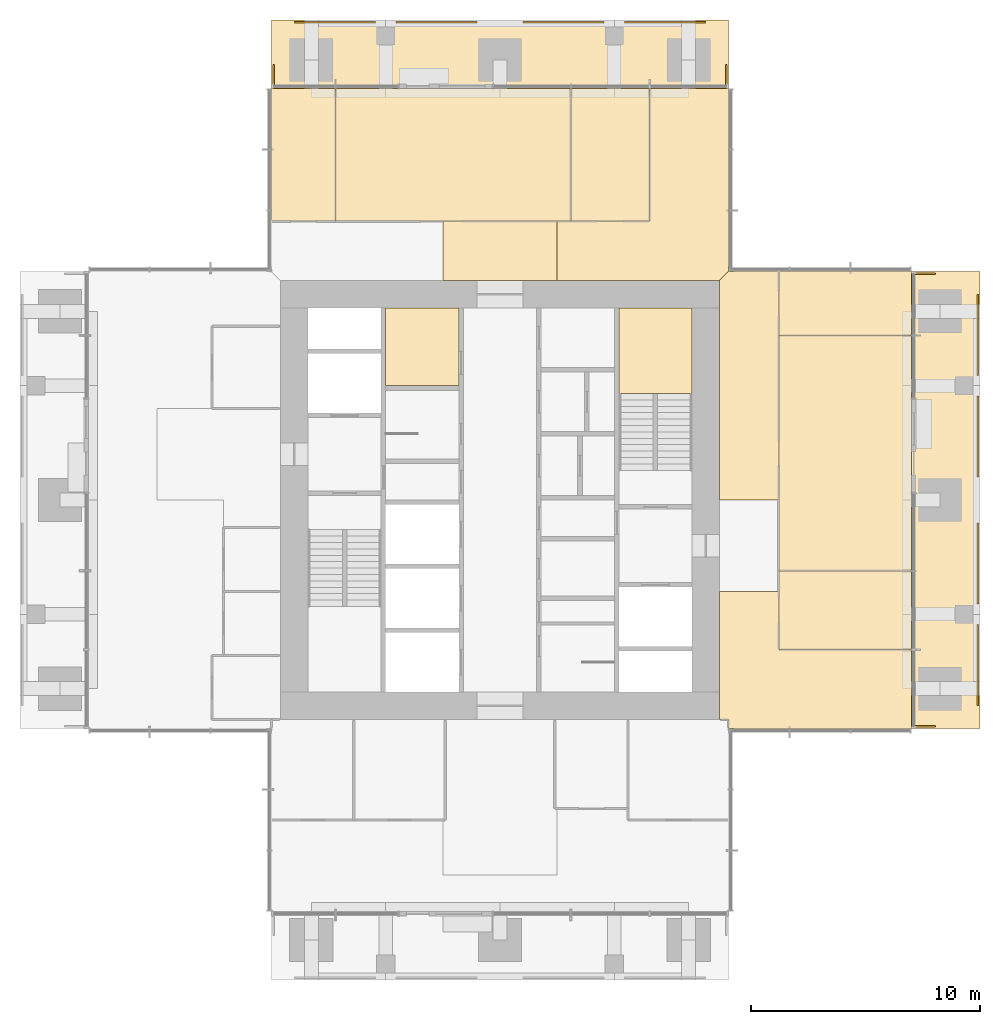
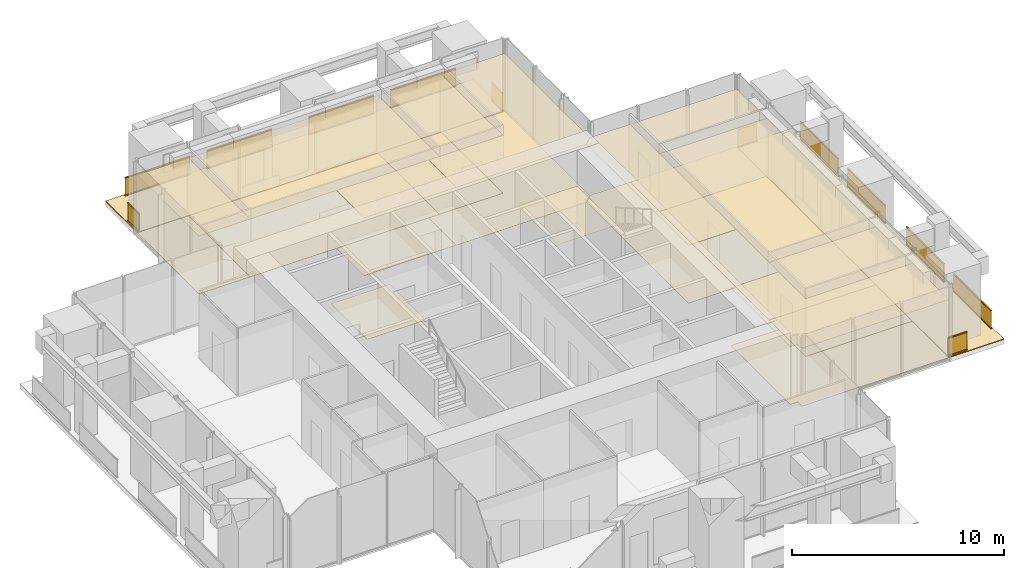
# One storey, part 11 of 12: 24 coverings, 12 railings.
"""IFC4 building model written with IfcOpenShell, lengths in metres."""

from ifc_helpers import new_model, si_unit, direction, frame, origin, origin_2d, place, context, subcontext, project, spatial, polyline, rectangle, outline, extrude, material, layer, layer_set, type_object, element, save


model = new_model("IFC4")

# Units and contexts
model_context = context("Model", 3, precision=1e-05, world=origin(), true_north=direction((0.0, 1.0)))
body_context = subcontext(model_context, "Body", "Model", "MODEL_VIEW")
ifc_project = project(units=[si_unit("LENGTHUNIT", "METRE"), si_unit("AREAUNIT", "SQUARE_METRE"), si_unit("VOLUMEUNIT", "CUBIC_METRE"), si_unit("PLANEANGLEUNIT", "RADIAN"), si_unit("MASSUNIT", "GRAM", prefix="KILO")], contexts=[model_context])

# Site, building, storey
site_placement = place(None, origin())
site = spatial("IfcSite", under=ifc_project, at=site_placement, CompositionType="ELEMENT")
building_placement = place(site_placement, origin())
building = spatial("IfcBuilding", under=site, at=building_placement, Name="Svetlomir Tower", CompositionType="ELEMENT")
storey_placement = place(building_placement, frame((0.0, 0.0, 256.60009765625)))
storey = spatial("IfcBuildingStorey", under=building, at=storey_placement, Name="L61", CompositionType="ELEMENT", Elevation=256.60009765625)

# Railings
ifc_material_1 = material(Name="Bronze anodised aluminium and laminated glass", Category="aluminium")
railing_type = type_object("IfcRailingType", Name="BALCONY GUARD GR1 1100", PredefinedType="GUARDRAIL", material=ifc_material_1)
for number, where, name in (
    (1, (41.89990234375, 12.0, 0.0), "Loggia guard E L61 bay 1"),
    (2, (41.89990234375, 16.449951171875, 0.0), "Loggia guard E L61 bay 2"),
    (3, (41.89990234375, 22.0, 0.0), "Loggia guard E L61 bay 3"),
    (4, (41.89990234375, 26.449951171875, 0.0), "Loggia guard E L61 bay 4"),
):
    element("IfcRailing", number, at=place(storey_placement, frame(where)), inside=storey, type_object=railing_type, Name=name, PredefinedType="GUARDRAIL", context=body_context, shape_type="SweptSolid", body=[
        extrude(rectangle(XDim=0.06005859375, YDim=0.10009765625, at=origin_2d()), frame((0.0, 0.0, 0.050048828125), z_axis=(0.0, 1.0, 0.0), x_axis=(-1.0, 0.0, 0.0)), (0.0, 0.0, 1.0), 3.550048828125),
        extrude(rectangle(XDim=0.021484375, YDim=0.960205078125, at=origin_2d()), frame((0.0, 0.0, 0.580078125), z_axis=(0.0, 1.0, 0.0), x_axis=(-1.0, 0.0, 0.0)), (0.0, 0.0, 1.0), 3.550048828125),
        extrude(rectangle(XDim=0.06005859375, YDim=0.0400390625, at=origin_2d()), frame((0.0, 0.0, 1.080078125), z_axis=(0.0, 1.0, 0.0), x_axis=(-1.0, 0.0, 0.0)), (0.0, 0.0, 1.0), 3.550048828125),
    ])
for number, where, name in (
    (5, (40.050048828125, 11.10009765625, 0.0), "Loggia guard E L61 end 1"),
    (6, (40.050048828125, 30.89990234375, 0.0), "Loggia guard E L61 end 2"),
):
    element("IfcRailing", number, at=place(storey_placement, frame(where)), inside=storey, type_object=railing_type, Name=name, PredefinedType="GUARDRAIL", context=body_context, shape_type="SweptSolid", body=[
        extrude(rectangle(XDim=0.06005859375, YDim=0.10009765625, at=origin_2d()), frame((0.0, 0.0, 0.050048828125), z_axis=(-1.0, 0.0, 0.0), x_axis=(0.0, -1.0, 0.0)), (0.0, 0.0, 1.0), 1.050048828125),
        extrude(rectangle(XDim=0.021484375, YDim=0.960205078125, at=origin_2d()), frame((0.0, 0.0, 0.580078125), z_axis=(-1.0, 0.0, 0.0), x_axis=(0.0, -1.0, 0.0)), (0.0, 0.0, 1.0), 1.050048828125),
        extrude(rectangle(XDim=0.06005859375, YDim=0.0400390625, at=origin_2d()), frame((0.0, 0.0, 1.080078125), z_axis=(-1.0, 0.0, 0.0), x_axis=(0.0, -1.0, 0.0)), (0.0, 0.0, 1.0), 1.050048828125),
    ])
for number, where, name in (
    (7, (12.0, 41.89990234375, 0.0), "Loggia guard N L61 bay 1"),
    (8, (16.449951171875, 41.89990234375, 0.0), "Loggia guard N L61 bay 2"),
    (9, (22.0, 41.89990234375, 0.0), "Loggia guard N L61 bay 3"),
    (10, (26.449951171875, 41.89990234375, 0.0), "Loggia guard N L61 bay 4"),
):
    element("IfcRailing", number, at=place(storey_placement, frame(where)), inside=storey, type_object=railing_type, Name=name, PredefinedType="GUARDRAIL", context=body_context, shape_type="SweptSolid", body=[
        extrude(rectangle(XDim=0.06005859375, YDim=0.10009765625, at=origin_2d()), frame((0.0, 0.0, 0.050048828125), z_axis=(1.0, 0.0, 0.0), x_axis=(0.0, 1.0, 0.0)), (0.0, 0.0, 1.0), 3.550048828125),
        extrude(rectangle(XDim=0.021484375, YDim=0.960205078125, at=origin_2d()), frame((0.0, 0.0, 0.580078125), z_axis=(1.0, 0.0, 0.0), x_axis=(0.0, 1.0, 0.0)), (0.0, 0.0, 1.0), 3.550048828125),
        extrude(rectangle(XDim=0.06005859375, YDim=0.0400390625, at=origin_2d()), frame((0.0, 0.0, 1.080078125), z_axis=(1.0, 0.0, 0.0), x_axis=(0.0, 1.0, 0.0)), (0.0, 0.0, 1.0), 3.550048828125),
    ])
for number, where, name in (
    (11, (11.10009765625, 40.050048828125, 0.0), "Loggia guard N L61 end 1"),
    (12, (30.89990234375, 40.050048828125, 0.0), "Loggia guard N L61 end 2"),
):
    element("IfcRailing", number, at=place(storey_placement, frame(where)), inside=storey, type_object=railing_type, Name=name, PredefinedType="GUARDRAIL", context=body_context, shape_type="SweptSolid", body=[
        extrude(rectangle(XDim=0.06005859375, YDim=0.10009765625, at=origin_2d()), frame((0.0, 0.0, 0.050048828125), z_axis=(0.0, -1.0, 0.0), x_axis=(1.0, 0.0, 0.0)), (0.0, 0.0, 1.0), 1.050048828125),
        extrude(rectangle(XDim=0.021484375, YDim=0.960205078125, at=origin_2d()), frame((0.0, 0.0, 0.580078125), z_axis=(0.0, -1.0, 0.0), x_axis=(1.0, 0.0, 0.0)), (0.0, 0.0, 1.0), 1.050048828125),
        extrude(rectangle(XDim=0.06005859375, YDim=0.0400390625, at=origin_2d()), frame((0.0, 0.0, 1.080078125), z_axis=(0.0, -1.0, 0.0), x_axis=(1.0, 0.0, 0.0)), (0.0, 0.0, 1.0), 1.050048828125),
    ])

# Coverings
ifc_material_2 = material(Name="Granite paving slabs on pedestals", Category="masonry")
ifc_layer_1 = layer(ifc_material_2, 0.0400390625)
ifc_layer_set_1 = layer_set([ifc_layer_1], Name="Granite paving slabs on pedestals")
covering_type_1 = type_object("IfcCoveringType", Name="BALCONY PAVING 40", PredefinedType="USERDEFINED", material=ifc_layer_set_1)
covering_1_placement = place(storey_placement, origin())
element("IfcCovering", 13, at=covering_1_placement, inside=storey, type_object=covering_type_1, Name="Loggia paving E L61", ObjectType="BALCONY PAVING", PredefinedType="USERDEFINED", context=body_context, shape_type="SweptSolid", body=[
    extrude(outline(polyline([(39.0, 11.0), (42.0, 11.0), (42.0, 31.0), (39.0, 31.0), (39.0, 11.0)])), origin(), (0.0, 0.0, 1.0), 0.039794921875),
])
covering_2_placement = place(storey_placement, origin())
element("IfcCovering", 14, at=covering_2_placement, inside=storey, type_object=covering_type_1, Name="Loggia paving N L61", ObjectType="BALCONY PAVING", PredefinedType="USERDEFINED", context=body_context, shape_type="SweptSolid", body=[
    extrude(outline(polyline([(11.0, 39.0), (31.0, 39.0), (31.0, 42.0), (11.0, 42.0), (11.0, 39.0)])), origin(), (0.0, 0.0, 1.0), 0.039794921875),
])
ifc_material_3 = material(Name="Ceramic floor tile", Category="ceramic")
ifc_layer_2 = layer(ifc_material_3, 0.014892578125)
ifc_layer_set_2 = layer_set([ifc_layer_2], Name="Ceramic floor tile")
covering_type_2 = type_object("IfcCoveringType", Name="CERAMIC TILE FLOOR 15", PredefinedType="FLOORING", material=ifc_layer_set_2)
covering_3_placement = place(storey_placement, origin())
element("IfcCovering", 15, at=covering_3_placement, inside=storey, type_object=covering_type_2, Name="Floor finish L61-05", PredefinedType="FLOORING", context=body_context, shape_type="SweptSolid", body=[
    extrude(outline(polyline([(16.0, 26.0), (19.199951171875, 26.0), (19.199951171875, 29.39990234375), (16.0, 29.39990234375), (16.0, 26.0)])), origin(), (0.0, 0.0, 1.0), 0.014892578125),
])
ifc_material_4 = material(Name="Engineered oak floor", Category="wood")
ifc_layer_3 = layer(ifc_material_4, 0.02001953125)
ifc_layer_set_3 = layer_set([ifc_layer_3], Name="Engineered oak floor")
covering_type_3 = type_object("IfcCoveringType", Name="OAK FLOOR 20", PredefinedType="FLOORING", material=ifc_layer_set_3)
covering_4_placement = place(storey_placement, origin())
element("IfcCovering", 16, at=covering_4_placement, inside=storey, type_object=covering_type_3, Name="Floor finish L61-22", PredefinedType="FLOORING", context=body_context, shape_type="SweptSolid", body=[
    extrude(outline(polyline([(33.199951171875, 14.449951171875), (39.0, 14.449951171875), (39.0, 17.89990234375), (33.199951171875, 17.89990234375), (33.199951171875, 14.449951171875)])), origin(), (0.0, 0.0, 1.0), 0.02001953125),
])
covering_5_placement = place(storey_placement, origin())
element("IfcCovering", 17, at=covering_5_placement, inside=storey, type_object=covering_type_3, Name="Floor finish L61-23", PredefinedType="FLOORING", context=body_context, shape_type="SweptSolid", body=[
    extrude(outline(polyline([(33.199951171875, 17.89990234375), (39.0, 17.89990234375), (39.0, 28.199951171875), (33.199951171875, 28.199951171875), (33.199951171875, 17.89990234375)])), origin(), (0.0, 0.0, 1.0), 0.02001953125),
])
covering_6_placement = place(storey_placement, origin())
element("IfcCovering", 18, at=covering_6_placement, inside=storey, type_object=covering_type_3, Name="Floor finish L61-24", PredefinedType="FLOORING", context=body_context, shape_type="SweptSolid", body=[
    extrude(outline(polyline([(33.199951171875, 28.199951171875), (39.0, 28.199951171875), (39.0, 31.0), (33.199951171875, 31.0), (33.199951171875, 28.199951171875)])), origin(), (0.0, 0.0, 1.0), 0.02001953125),
])
covering_7_placement = place(storey_placement, origin())
element("IfcCovering", 19, at=covering_7_placement, inside=storey, type_object=covering_type_3, Name="Floor finish L61-25", PredefinedType="FLOORING", context=body_context, shape_type="SweptSolid", body=[
    extrude(outline(polyline([(11.0, 33.199951171875), (13.800048828125, 33.199951171875), (13.800048828125, 39.0), (11.0, 39.0), (11.0, 33.199951171875)])), origin(), (0.0, 0.0, 1.0), 0.02001953125),
])
covering_8_placement = place(storey_placement, origin())
element("IfcCovering", 20, at=covering_8_placement, inside=storey, type_object=covering_type_3, Name="Floor finish L61-26", PredefinedType="FLOORING", context=body_context, shape_type="SweptSolid", body=[
    extrude(outline(polyline([(13.800048828125, 33.199951171875), (24.10009765625, 33.199951171875), (24.10009765625, 39.0), (13.800048828125, 39.0), (13.800048828125, 33.199951171875)])), origin(), (0.0, 0.0, 1.0), 0.02001953125),
])
covering_9_placement = place(storey_placement, origin())
element("IfcCovering", 21, at=covering_9_placement, inside=storey, type_object=covering_type_3, Name="Floor finish L61-27", PredefinedType="FLOORING", context=body_context, shape_type="SweptSolid", body=[
    extrude(outline(polyline([(24.10009765625, 33.199951171875), (27.550048828125, 33.199951171875), (27.550048828125, 39.0), (24.10009765625, 39.0), (24.10009765625, 33.199951171875)])), origin(), (0.0, 0.0, 1.0), 0.02001953125),
])
covering_10_placement = place(storey_placement, origin())
element("IfcCovering", 22, at=covering_10_placement, inside=storey, type_object=covering_type_3, Name="Floor finish L61-35", PredefinedType="FLOORING", context=body_context, shape_type="SweptSolid", body=[
    extrude(outline(polyline([(23.5, 30.60009765625), (18.5, 30.60009765625), (18.5, 33.199951171875), (23.5, 33.199951171875), (23.5, 30.60009765625)])), origin(), (0.0, 0.0, 1.0), 0.02001953125),
])
covering_11_placement = place(storey_placement, origin())
element("IfcCovering", 23, at=covering_11_placement, inside=storey, type_object=covering_type_3, Name="Floor finish L61-37", PredefinedType="FLOORING", context=body_context, shape_type="SweptSolid", body=[
    extrude(outline(polyline([(31.0, 11.39990234375), (30.60009765625, 11.39990234375), (30.60009765625, 17.0), (33.199951171875, 17.0), (33.199951171875, 14.449951171875), (39.0, 14.449951171875), (39.0, 11.0), (31.0, 11.0), (31.0, 11.39990234375)])), origin(), (0.0, 0.0, 1.0), 0.02001953125),
])
covering_12_placement = place(storey_placement, origin())
element("IfcCovering", 24, at=covering_12_placement, inside=storey, type_object=covering_type_3, Name="Floor finish L61-38", PredefinedType="FLOORING", context=body_context, shape_type="SweptSolid", body=[
    extrude(outline(polyline([(33.199951171875, 31.0), (33.199951171875, 21.0), (30.60009765625, 21.0), (30.60009765625, 30.60009765625), (31.0, 31.0), (33.199951171875, 31.0)])), origin(), (0.0, 0.0, 1.0), 0.02001953125),
])
covering_13_placement = place(storey_placement, origin())
element("IfcCovering", 25, at=covering_13_placement, inside=storey, type_object=covering_type_3, Name="Floor finish L61-39", PredefinedType="FLOORING", context=body_context, shape_type="SweptSolid", body=[
    extrude(outline(polyline([(23.5, 30.60009765625), (23.5, 33.199951171875), (27.550048828125, 33.199951171875), (27.550048828125, 39.0), (31.0, 39.0), (31.0, 31.0), (30.60009765625, 30.60009765625), (23.5, 30.60009765625)])), origin(), (0.0, 0.0, 1.0), 0.02001953125),
])
ifc_material_5 = material(Name="Studded rubber floor finish", Category="rubber")
ifc_layer_4 = layer(ifc_material_5, 0.006103515625)
ifc_layer_set_4 = layer_set([ifc_layer_4], Name="Studded rubber floor finish")
covering_type_4 = type_object("IfcCoveringType", Name="RUBBER LANDING FINISH 6", PredefinedType="FLOORING", material=ifc_layer_set_4)
covering_14_placement = place(storey_placement, frame((0.0, 0.0, 2.099853515625)))
element("IfcCovering", 26, at=covering_14_placement, inside=storey, type_object=covering_type_4, Name="Stair S2 landing finish L61", PredefinedType="FLOORING", context=body_context, shape_type="SweptSolid", body=[
    extrude(outline(polyline([(26.199951171875, 25.659912109375), (29.39990234375, 25.659912109375), (29.39990234375, 29.39990234375), (26.199951171875, 29.39990234375), (26.199951171875, 25.659912109375)])), origin(), (0.0, 0.0, 1.0), 0.006103515625),
])
ifc_material_6 = material(Name="Mineral fibre ceiling tile", Category="mineral")
ifc_layer_5 = layer(ifc_material_6, 0.02001953125)
ifc_layer_set_5 = layer_set([ifc_layer_5], Name="Mineral fibre ceiling tile")
covering_type_5 = type_object("IfcCoveringType", Name="SUSPENDED CEILING 20", PredefinedType="CEILING", material=ifc_layer_set_5)
covering_15_placement = place(storey_placement, frame((0.0, 0.0, 3.329833984375)))
element("IfcCovering", 27, at=covering_15_placement, inside=storey, type_object=covering_type_5, Name="Ceiling L61-22", PredefinedType="CEILING", context=body_context, shape_type="SweptSolid", body=[
    extrude(outline(polyline([(33.199951171875, 14.449951171875), (39.0, 14.449951171875), (39.0, 17.89990234375), (33.199951171875, 17.89990234375), (33.199951171875, 14.449951171875)])), origin(), (0.0, 0.0, 1.0), 0.02001953125),
])
covering_16_placement = place(storey_placement, frame((0.0, 0.0, 3.329833984375)))
element("IfcCovering", 28, at=covering_16_placement, inside=storey, type_object=covering_type_5, Name="Ceiling L61-23", PredefinedType="CEILING", context=body_context, shape_type="SweptSolid", body=[
    extrude(outline(polyline([(33.199951171875, 17.89990234375), (39.0, 17.89990234375), (39.0, 28.199951171875), (33.199951171875, 28.199951171875), (33.199951171875, 17.89990234375)])), origin(), (0.0, 0.0, 1.0), 0.02001953125),
])
covering_17_placement = place(storey_placement, frame((0.0, 0.0, 3.329833984375)))
element("IfcCovering", 29, at=covering_17_placement, inside=storey, type_object=covering_type_5, Name="Ceiling L61-24", PredefinedType="CEILING", context=body_context, shape_type="SweptSolid", body=[
    extrude(outline(polyline([(33.199951171875, 28.199951171875), (39.0, 28.199951171875), (39.0, 31.0), (33.199951171875, 31.0), (33.199951171875, 28.199951171875)])), origin(), (0.0, 0.0, 1.0), 0.02001953125),
])
covering_18_placement = place(storey_placement, frame((0.0, 0.0, 3.329833984375)))
element("IfcCovering", 30, at=covering_18_placement, inside=storey, type_object=covering_type_5, Name="Ceiling L61-25", PredefinedType="CEILING", context=body_context, shape_type="SweptSolid", body=[
    extrude(outline(polyline([(11.0, 33.199951171875), (13.800048828125, 33.199951171875), (13.800048828125, 39.0), (11.0, 39.0), (11.0, 33.199951171875)])), origin(), (0.0, 0.0, 1.0), 0.02001953125),
])
covering_19_placement = place(storey_placement, frame((0.0, 0.0, 3.329833984375)))
element("IfcCovering", 31, at=covering_19_placement, inside=storey, type_object=covering_type_5, Name="Ceiling L61-26", PredefinedType="CEILING", context=body_context, shape_type="SweptSolid", body=[
    extrude(outline(polyline([(13.800048828125, 33.199951171875), (24.10009765625, 33.199951171875), (24.10009765625, 39.0), (13.800048828125, 39.0), (13.800048828125, 33.199951171875)])), origin(), (0.0, 0.0, 1.0), 0.02001953125),
])
covering_20_placement = place(storey_placement, frame((0.0, 0.0, 3.329833984375)))
element("IfcCovering", 32, at=covering_20_placement, inside=storey, type_object=covering_type_5, Name="Ceiling L61-27", PredefinedType="CEILING", context=body_context, shape_type="SweptSolid", body=[
    extrude(outline(polyline([(24.10009765625, 33.199951171875), (27.550048828125, 33.199951171875), (27.550048828125, 39.0), (24.10009765625, 39.0), (24.10009765625, 33.199951171875)])), origin(), (0.0, 0.0, 1.0), 0.02001953125),
])
covering_21_placement = place(storey_placement, frame((0.0, 0.0, 3.329833984375)))
element("IfcCovering", 33, at=covering_21_placement, inside=storey, type_object=covering_type_5, Name="Ceiling L61-35", PredefinedType="CEILING", context=body_context, shape_type="SweptSolid", body=[
    extrude(outline(polyline([(23.5, 30.60009765625), (18.5, 30.60009765625), (18.5, 33.199951171875), (23.5, 33.199951171875), (23.5, 30.60009765625)])), origin(), (0.0, 0.0, 1.0), 0.02001953125),
])
covering_22_placement = place(storey_placement, frame((0.0, 0.0, 3.329833984375)))
element("IfcCovering", 34, at=covering_22_placement, inside=storey, type_object=covering_type_5, Name="Ceiling L61-37", PredefinedType="CEILING", context=body_context, shape_type="SweptSolid", body=[
    extrude(outline(polyline([(31.0, 11.39990234375), (30.60009765625, 11.39990234375), (30.60009765625, 17.0), (33.199951171875, 17.0), (33.199951171875, 14.449951171875), (39.0, 14.449951171875), (39.0, 11.0), (31.0, 11.0), (31.0, 11.39990234375)])), origin(), (0.0, 0.0, 1.0), 0.02001953125),
])
covering_23_placement = place(storey_placement, frame((0.0, 0.0, 3.329833984375)))
element("IfcCovering", 35, at=covering_23_placement, inside=storey, type_object=covering_type_5, Name="Ceiling L61-38", PredefinedType="CEILING", context=body_context, shape_type="SweptSolid", body=[
    extrude(outline(polyline([(33.199951171875, 31.0), (33.199951171875, 21.0), (30.60009765625, 21.0), (30.60009765625, 30.60009765625), (31.0, 31.0), (33.199951171875, 31.0)])), origin(), (0.0, 0.0, 1.0), 0.02001953125),
])
covering_24_placement = place(storey_placement, frame((0.0, 0.0, 3.329833984375)))
element("IfcCovering", 36, at=covering_24_placement, inside=storey, type_object=covering_type_5, Name="Ceiling L61-39", PredefinedType="CEILING", context=body_context, shape_type="SweptSolid", body=[
    extrude(outline(polyline([(23.5, 30.60009765625), (23.5, 33.199951171875), (27.550048828125, 33.199951171875), (27.550048828125, 39.0), (31.0, 39.0), (31.0, 31.0), (30.60009765625, 30.60009765625), (23.5, 30.60009765625)])), origin(), (0.0, 0.0, 1.0), 0.02001953125),
])

save(model, "model.ifc")
